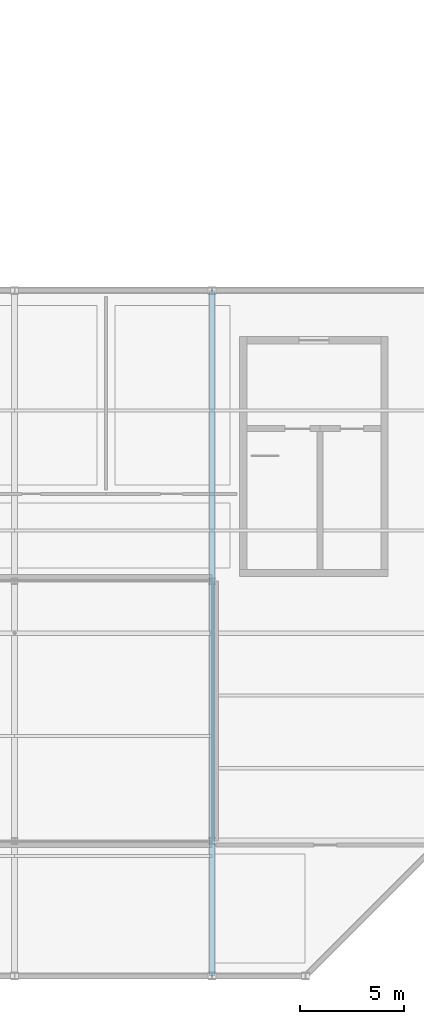
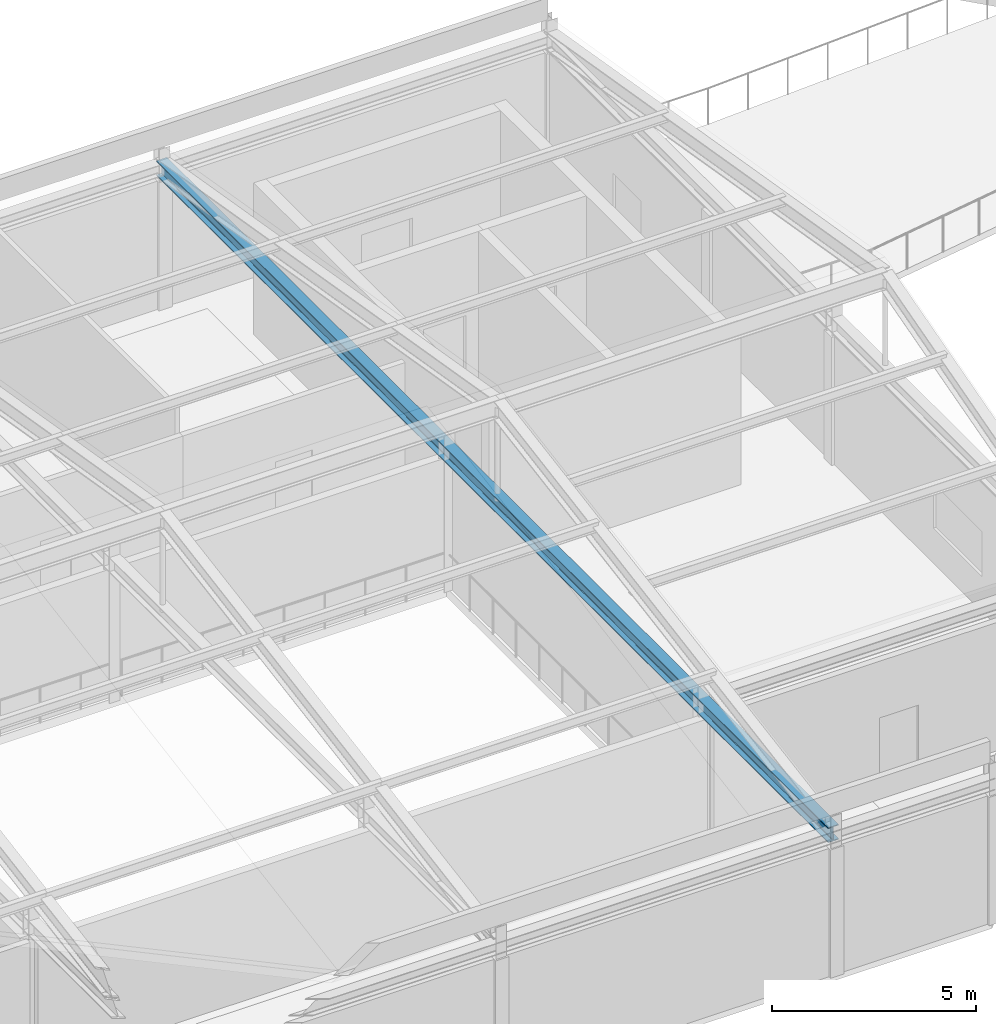
# One storey, part 22 of 108: 1 beam.
"""IFC4 building model written with IfcOpenShell, lengths in metres."""

from ifc_helpers import new_model, si_unit, direction, frame, origin, origin_2d, place, context, subcontext, project, spatial, i_section, extrude, material, material_profile, profile_set, type_object, element, save


model = new_model("IFC4")

# Units and contexts
model_context = context("Model", 3, precision=1e-05, world=origin(), true_north=direction((0.0, 1.0)))
body_context = subcontext(model_context, "Body", "Model", "MODEL_VIEW")
ifc_project = project(units=[si_unit("LENGTHUNIT", "METRE"), si_unit("AREAUNIT", "SQUARE_METRE"), si_unit("VOLUMEUNIT", "CUBIC_METRE"), si_unit("PLANEANGLEUNIT", "RADIAN"), si_unit("MASSUNIT", "GRAM", prefix="KILO")], contexts=[model_context])

# Site, building, storey
site_placement = place(None, origin())
site = spatial("IfcSite", under=ifc_project, at=site_placement, CompositionType="ELEMENT")
building_placement = place(site_placement, origin())
building = spatial("IfcBuilding", under=site, at=building_placement, Name="Tarnveldt Headland Concert Hall", CompositionType="ELEMENT")
storey_placement = place(building_placement, frame((0.0, 0.0, 9.60009765625)))
storey = spatial("IfcBuildingStorey", under=building, at=storey_placement, Name="L02", CompositionType="ELEMENT", Elevation=9.60009765625)

# Beam
ifc_material = material(Name="Steel S355", Category="steel")
ifc_material_profile = material_profile(ifc_material, i_section(OverallWidth=0.300048828125, OverallDepth=0.449951171875, WebThickness=0.013916015625, FlangeThickness=0.02587890625, FilletRadius=0.027099609375, at=origin_2d()), Name="HEB450", Category="steel")
ifc_profile_set = profile_set([ifc_material_profile], Name="Steel S355")
beam_type = type_object("IfcBeamType", Name="SB-HEB450", PredefinedType="BEAM", material=ifc_profile_set)
beam_placement = place(storey_placement, frame((33.5, 5.0, 4.159912109375), z_axis=(0.0, 1.0, 0.0), x_axis=(-1.0, 0.0, 0.0)))
element("IfcBeam", 1, at=beam_placement, inside=storey, type_object=beam_type, Name="ROOF TRUSS Chamber bottom tie 33", PredefinedType="BEAM", context=body_context, shape_type="SweptSolid", body=[
    extrude(i_section(OverallWidth=0.300048828125, OverallDepth=0.449951171875, WebThickness=0.013916015625, FlangeThickness=0.02587890625, FilletRadius=0.027099609375, at=origin_2d()), origin(), (0.0, 0.0, 1.0), 33.0),
])

save(model, "model.ifc")
